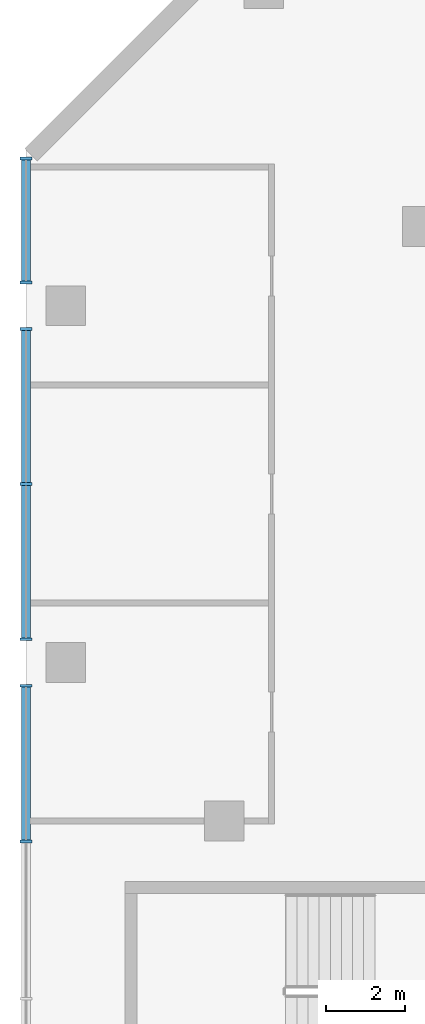
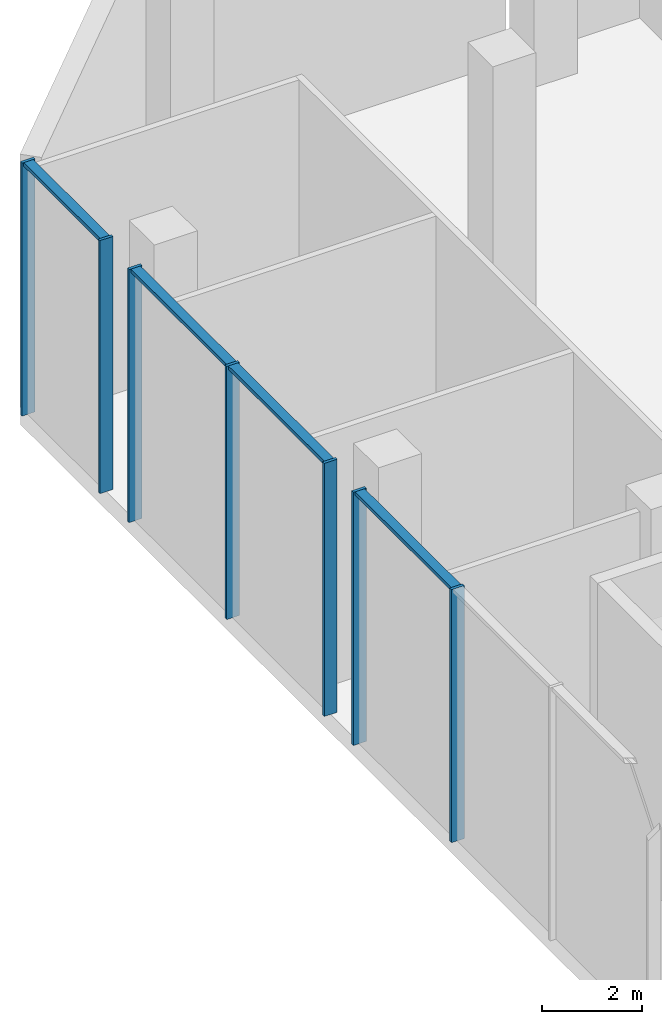
# One storey, part 6 of 30: 11 members, 3 elements without a shape of their own.
"""IFC4 building model written with IfcOpenShell, lengths in metres."""

import ifcopenshell
import ifcopenshell.guid

model = None  # the IFC model being written
_history = None  # IfcOwnerHistory: only IFC2X3 demands one
_inside = {}  # id of a spatial element -> (the spatial element, [elements in it])
_under = {}  # id of a project, library or spatial element -> (it, [spatial elements below it])
_declared = {}  # id of a project -> (the project, [libraries it declares])
_typed = {}  # id of a type object -> (the type object, [elements of that type])
_made_of = {}  # id of a material, layer set ... -> (it, [elements and type objects made of it])


def new_model(schema):
    """Start an empty IFC model of exactly this schema.

    Asked for "IFC4X3", IfcOpenShell would pick the latest addendum, in which some entities
    have other attributes; the version numbers below select the first issue.
    IFC2X3 requires an IfcOwnerHistory on every rooted entity: one is made here for all.
    """
    global model, _history
    if schema == "IFC4X3":
        model = ifcopenshell.file(schema_version=(4, 3, 0, 0))
    else:
        model = ifcopenshell.file(schema=schema)
    _inside.clear()
    _under.clear()
    _declared.clear()
    _typed.clear()
    _made_of.clear()
    _history = None
    if model.schema == "IFC2X3":
        org = make("IfcOrganization", Name="unknown")
        user = make(
            "IfcPersonAndOrganization",
            ThePerson=make("IfcPerson", FamilyName="unknown"),
            TheOrganization=org,
        )
        app = make(
            "IfcApplication",
            ApplicationDeveloper=org,
            Version="unknown",
            ApplicationFullName="unknown",
            ApplicationIdentifier="unknown",
        )
        _history = make(
            "IfcOwnerHistory",
            OwningUser=user,
            OwningApplication=app,
            ChangeAction="ADDED",
            CreationDate=0,
        )
    return model


def make(cls, **values):
    """One entity of the class cls with the attributes given. An attribute that is None is left unset."""
    return model.create_entity(
        cls, **{name: value for name, value in values.items() if value is not None}
    )


def rooted(cls, **values):
    """An entity with a GlobalId (a new one), such as an element, a storey or a relation."""
    return make(cls, GlobalId=ifcopenshell.guid.new(), OwnerHistory=_history, **values)


def si_unit(unit_type, name, prefix=None):
    """IfcSIUnit, for example si_unit("LENGTHUNIT", "METRE", prefix="MILLI")."""
    return make("IfcSIUnit", UnitType=unit_type, Prefix=prefix, Name=name)


def assignment(units):
    """IfcUnitAssignment: the units of a project."""
    return None if units is None else make("IfcUnitAssignment", Units=units)


def point(xyz):
    """IfcCartesianPoint."""
    return None if xyz is None else make("IfcCartesianPoint", Coordinates=xyz)


def direction(xyz):
    """IfcDirection."""
    return None if xyz is None else make("IfcDirection", DirectionRatios=xyz)


def frame(location, z_axis=None, x_axis=None):
    """IfcAxis2Placement3D, a coordinate frame: its origin and axes. An axis left out is left unset."""
    return make(
        "IfcAxis2Placement3D",
        Location=point(location),
        Axis=direction(z_axis),
        RefDirection=direction(x_axis),
    )


def frame_2d(location, x_axis=None):
    """IfcAxis2Placement2D, a coordinate frame in the plane: its origin and x axis."""
    return make(
        "IfcAxis2Placement2D", Location=point(location), RefDirection=direction(x_axis)
    )


def origin():
    """The frame at (0, 0, 0) with its axes left unset."""
    return frame((0.0, 0.0, 0.0))


def origin_2d():
    """The frame at (0, 0) in the plane with its x axis left unset."""
    return frame_2d((0.0, 0.0))


def place(relative_to, where):
    """IfcLocalPlacement: puts the frame where relative to a parent placement (None: the world)."""
    return make(
        "IfcLocalPlacement", PlacementRelTo=relative_to, RelativePlacement=where
    )


def context(
    kind, dimensions, precision=None, world=None, true_north=None, identifier=None
):
    """IfcGeometricRepresentationContext, for example the 3D "Model" context."""
    return make(
        "IfcGeometricRepresentationContext",
        ContextIdentifier=identifier,
        ContextType=kind,
        CoordinateSpaceDimension=dimensions,
        Precision=precision,
        WorldCoordinateSystem=world,
        TrueNorth=true_north,
    )


def subcontext(parent, identifier, kind, view, scale=None):
    """IfcGeometricRepresentationSubContext, for example "Body" below "Model"."""
    return make(
        "IfcGeometricRepresentationSubContext",
        ContextIdentifier=identifier,
        ContextType=kind,
        ParentContext=parent,
        TargetScale=scale,
        TargetView=view,
    )


def project(units=None, contexts=None):
    """IfcProject with its units and contexts."""
    return rooted(
        "IfcProject",
        Name="project",
        RepresentationContexts=contexts,
        UnitsInContext=assignment(units),
    )


def spatial(cls, under=None, at=None, **own):
    """A site, building, storey or space (cls), placed at a placement, below another one or the project."""
    s = rooted(cls, ObjectPlacement=at, **own)
    if under is not None:
        _under.setdefault(under.id(), (under, []))[1].append(s)
    return s


def profile(cls, at=None, kind="AREA", **sizes):
    """A parametric profile (cls). Its sizes go by their IFC names, for example OverallWidth=200.0."""
    return make(cls, ProfileType=kind, Position=at, **sizes)


def rectangle(**sizes):
    """IfcRectangleProfileDef."""
    return profile("IfcRectangleProfileDef", **sizes)


def extrude(swept, where, along, depth):
    """IfcExtrudedAreaSolid: the profile swept, set in the frame where, extruded along a direction by depth."""
    return make(
        "IfcExtrudedAreaSolid",
        SweptArea=swept,
        Position=where,
        ExtrudedDirection=direction(along),
        Depth=depth,
    )


def shape(context_of_items, identifier, shape_type, items):
    """IfcShapeRepresentation: the items that make up one representation, for example the "Body"."""
    return make(
        "IfcShapeRepresentation",
        ContextOfItems=context_of_items,
        RepresentationIdentifier=identifier,
        RepresentationType=shape_type,
        Items=items,
    )


def material(Name=None, Category=None):
    """IfcMaterial."""
    return make("IfcMaterial", Name=Name, Category=Category)


def material_profile(
    of_material, cross_section, Name=None, Category=None, Priority=None
):
    """IfcMaterialProfile: a cross section and its material."""
    return make(
        "IfcMaterialProfile",
        Name=Name,
        Material=of_material,
        Profile=cross_section,
        Priority=Priority,
        Category=Category,
    )


def profile_set(profiles, Name=None, composite=None):
    """IfcMaterialProfileSet."""
    return make(
        "IfcMaterialProfileSet",
        Name=Name,
        MaterialProfiles=profiles,
        CompositeProfile=composite,
    )


def made_of(thing, what):
    """Note that an element or type object is made of a material, layer set ...; save() writes the relation."""
    if what is not None:
        _made_of.setdefault(what.id(), (what, []))[1].append(thing)
    return thing


def type_object(cls, material=None, **own):
    """A type object (cls), such as IfcWallType, which elements share."""
    return made_of(rooted(cls, **own), material)


def element(
    cls,
    number,
    at=None,
    inside=None,
    cuts=None,
    type_object=None,
    material=None,
    context=None,
    identifier="Body",
    shape_type=None,
    held_by="IfcProductDefinitionShape",
    body=None,
    shapes=None,
    **own,
):
    """One element of the class cls, such as IfcWall. Its Tag is "e" and its number.

    at: its placement. inside: the storey or other place that contains it. cuts: it is an
    opening in that element (IfcRelVoidsElement). A single representation is given by context,
    identifier, shape_type and body (its items); several are given by shapes. held_by: the class
    of the entity that holds the representations. save() writes the other relations.
    """
    e = rooted(cls, Tag="e%d" % number, ObjectPlacement=at, **own)
    if body is not None:
        shapes = [shape(context, identifier, shape_type, body)]
    if shapes is not None:
        e.Representation = make(held_by, Representations=shapes)
    if inside is not None:
        _inside.setdefault(inside.id(), (inside, []))[1].append(e)
    if cuts is not None:
        rooted(
            "IfcRelVoidsElement", RelatingBuildingElement=cuts, RelatedOpeningElement=e
        )
    if type_object is not None:
        _typed.setdefault(type_object.id(), (type_object, []))[1].append(e)
    return made_of(e, material)


def aggregate(whole, parts):
    """IfcRelAggregates: a whole, such as a stair, and the parts it consists of."""
    return rooted("IfcRelAggregates", RelatingObject=whole, RelatedObjects=parts)


def save(model, path):
    """Write the relations noted so far, then the file.

    IfcRelAggregates (storeys below a building ...), IfcRelContainedInSpatialStructure (elements
    in a storey), IfcRelDefinesByType, IfcRelAssociatesMaterial and IfcRelDeclares: one each for
    every whole, place, type object, material and project.
    """
    for whole, parts in _under.values():
        aggregate(whole, parts)
    for where, things in _inside.values():
        rooted(
            "IfcRelContainedInSpatialStructure",
            RelatedElements=things,
            RelatingStructure=where,
        )
    for kind, things in _typed.values():
        rooted("IfcRelDefinesByType", RelatedObjects=things, RelatingType=kind)
    for what, things in _made_of.values():
        rooted("IfcRelAssociatesMaterial", RelatedObjects=things, RelatingMaterial=what)
    for by, libraries in _declared.values():
        rooted("IfcRelDeclares", RelatingContext=by, RelatedDefinitions=libraries)
    model.write(path)


model = new_model("IFC4")

# Units and contexts
model_context = context("Model", 3, precision=1e-05, world=origin(), true_north=direction((0.0, 1.0)))
body_context = subcontext(model_context, "Body", "Model", "MODEL_VIEW")
ifc_project = project(units=[si_unit("LENGTHUNIT", "METRE"), si_unit("AREAUNIT", "SQUARE_METRE"), si_unit("VOLUMEUNIT", "CUBIC_METRE"), si_unit("PLANEANGLEUNIT", "RADIAN"), si_unit("MASSUNIT", "GRAM", prefix="KILO")], contexts=[model_context])

# Site, building, storey
site_placement = place(None, origin())
site = spatial("IfcSite", under=ifc_project, at=site_placement, CompositionType="ELEMENT")
building_placement = place(site_placement, origin())
building = spatial("IfcBuilding", under=site, at=building_placement, Name="Wharfspan Tower", CompositionType="ELEMENT")
storey_placement = place(building_placement, frame((0.0, 0.0, 15.0)))
storey = spatial("IfcBuildingStorey", under=building, at=storey_placement, Name="L02", CompositionType="ELEMENT", Elevation=15.0)

# Curtain wall, members
ifc_material = material(Name="Aluminium 6063-T6", Category="aluminium")
curtain_wall_type = type_object("IfcCurtainWallType", Name="CURTAIN WALL ARENA STICK WALL", PredefinedType="NOTDEFINED", material=ifc_material)
curtain_wall_1_placement = place(storey_placement, origin())
curtain_wall_1 = element("IfcCurtainWall", 1, at=curtain_wall_1_placement, inside=storey, type_object=curtain_wall_type, Name="Concourse stick wall PF12.1", PredefinedType="NOTDEFINED")
ifc_material_profile_1 = material_profile(ifc_material, rectangle(XDim=0.300049, YDim=0.070068, at=origin_2d()))
ifc_profile_set_1 = profile_set([ifc_material_profile_1], Name="Aluminium 6063-T6")
member_type_1 = type_object("IfcMemberType", Name="MULLION ARENA STICK WALL 70x300", PredefinedType="MULLION", material=ifc_profile_set_1)
member_1_placement = place(storey_placement, frame((-12.0, 49.715088, 0.0), z_axis=(0.0, 0.0, 1.0), x_axis=(1.0, 0.0, 0.0)))
member_1 = element("IfcMember", 2, at=member_1_placement, type_object=member_type_1, Name="Concourse stick wall PF12.1 mullion 1", PredefinedType="MULLION", context=body_context, shape_type="SweptSolid", body=[
    extrude(rectangle(XDim=0.300049, YDim=0.070068, at=origin_2d()), origin(), (0.0, 0.0, 1.0), 6.199951),
])
member_2_placement = place(storey_placement, frame((-12.0, 46.584961, 0.0), z_axis=(0.0, 0.0, 1.0), x_axis=(1.0, 0.0, 0.0)))
member_2 = element("IfcMember", 3, at=member_2_placement, type_object=member_type_1, Name="Concourse stick wall PF12.1 mullion 2", PredefinedType="MULLION", context=body_context, shape_type="SweptSolid", body=[
    extrude(rectangle(XDim=0.300049, YDim=0.070068, at=origin_2d()), origin(), (0.0, 0.0, 1.0), 6.199951),
])

curtain_wall_2_placement = place(storey_placement, origin())
curtain_wall_2 = element("IfcCurtainWall", 4, at=curtain_wall_2_placement, inside=storey, type_object=curtain_wall_type, Name="Concourse stick wall PF12.2", PredefinedType="NOTDEFINED")
member_3_placement = place(storey_placement, frame((-12.0, 45.415039, 0.0), z_axis=(0.0, 0.0, 1.0), x_axis=(1.0, 0.0, 0.0)))
member_3 = element("IfcMember", 5, at=member_3_placement, type_object=member_type_1, Name="Concourse stick wall PF12.2 mullion 1", PredefinedType="MULLION", context=body_context, shape_type="SweptSolid", body=[
    extrude(rectangle(XDim=0.300049, YDim=0.070068, at=origin_2d()), origin(), (0.0, 0.0, 1.0), 6.199951),
])
member_4_placement = place(storey_placement, frame((-12.0, 41.5, 0.0), z_axis=(0.0, 0.0, 1.0), x_axis=(1.0, 0.0, 0.0)))
member_4 = element("IfcMember", 6, at=member_4_placement, type_object=member_type_1, Name="Concourse stick wall PF12.2 mullion 2", PredefinedType="MULLION", context=body_context, shape_type="SweptSolid", body=[
    extrude(rectangle(XDim=0.300049, YDim=0.070068, at=origin_2d()), origin(), (0.0, 0.0, 1.0), 6.199951),
])
member_5_placement = place(storey_placement, frame((-12.0, 37.584961, 0.0), z_axis=(0.0, 0.0, 1.0), x_axis=(1.0, 0.0, 0.0)))
member_5 = element("IfcMember", 7, at=member_5_placement, type_object=member_type_1, Name="Concourse stick wall PF12.2 mullion 3", PredefinedType="MULLION", context=body_context, shape_type="SweptSolid", body=[
    extrude(rectangle(XDim=0.300049, YDim=0.070068, at=origin_2d()), origin(), (0.0, 0.0, 1.0), 6.199951),
])

curtain_wall_3_placement = place(storey_placement, origin())
curtain_wall_3 = element("IfcCurtainWall", 8, at=curtain_wall_3_placement, inside=storey, type_object=curtain_wall_type, Name="Concourse stick wall PF12.3", PredefinedType="NOTDEFINED")
member_6_placement = place(storey_placement, frame((-12.0, 36.415039, 0.0), z_axis=(0.0, 0.0, 1.0), x_axis=(1.0, 0.0, 0.0)))
member_6 = element("IfcMember", 9, at=member_6_placement, type_object=member_type_1, Name="Concourse stick wall PF12.3 mullion 1", PredefinedType="MULLION", context=body_context, shape_type="SweptSolid", body=[
    extrude(rectangle(XDim=0.300049, YDim=0.070068, at=origin_2d()), origin(), (0.0, 0.0, 1.0), 6.199951),
])
member_7_placement = place(storey_placement, frame((-12.0, 32.483398, 0.0), z_axis=(0.0, 0.0, 1.0), x_axis=(1.0, 0.0, 0.0)))
member_7 = element("IfcMember", 10, at=member_7_placement, type_object=member_type_1, Name="Concourse stick wall PF12.3 mullion 2", PredefinedType="MULLION", context=body_context, shape_type="SweptSolid", body=[
    extrude(rectangle(XDim=0.300049, YDim=0.070068, at=origin_2d()), origin(), (0.0, 0.0, 1.0), 6.199951),
])

# Member
ifc_material_profile_2 = material_profile(ifc_material, rectangle(XDim=0.219971, YDim=0.090088, at=origin_2d()))
ifc_profile_set_2 = profile_set([ifc_material_profile_2], Name="Aluminium 6063-T6")
member_type_2 = type_object("IfcMemberType", Name="TRANSOM ARENA STICK WALL 90x220", PredefinedType="USERDEFINED", material=ifc_profile_set_2)
member_8_placement = place(storey_placement, frame((-12.0, 49.679932, 6.155029), z_axis=(0.0, -1.0, 0.0), x_axis=(1.0, 0.0, 0.0)))
member_8 = element("IfcMember", 11, at=member_8_placement, type_object=member_type_2, Name="Concourse stick wall PF12.1 transom 1", ObjectType="TRANSOM", PredefinedType="USERDEFINED", context=body_context, shape_type="SweptSolid", body=[
    extrude(rectangle(XDim=0.219971, YDim=0.090088, at=origin_2d()), origin(), (0.0, 0.0, 1.0), 3.059814),
])

aggregate(curtain_wall_1, [member_1, member_2, member_8])

member_9_placement = place(storey_placement, frame((-12.0, 45.379883, 6.155029), z_axis=(0.0, -1.0, 0.0), x_axis=(1.0, 0.0, 0.0)))
member_9 = element("IfcMember", 12, at=member_9_placement, type_object=member_type_2, Name="Concourse stick wall PF12.2 transom 1", ObjectType="TRANSOM", PredefinedType="USERDEFINED", context=body_context, shape_type="SweptSolid", body=[
    extrude(rectangle(XDim=0.219971, YDim=0.090088, at=origin_2d()), origin(), (0.0, 0.0, 1.0), 3.844971),
])

member_10_placement = place(storey_placement, frame((-12.0, 41.465088, 6.155029), z_axis=(0.0, -1.0, 0.0), x_axis=(1.0, 0.0, 0.0)))
member_10 = element("IfcMember", 13, at=member_10_placement, type_object=member_type_2, Name="Concourse stick wall PF12.2 transom 2", ObjectType="TRANSOM", PredefinedType="USERDEFINED", context=body_context, shape_type="SweptSolid", body=[
    extrude(rectangle(XDim=0.219971, YDim=0.090088, at=origin_2d()), origin(), (0.0, 0.0, 1.0), 3.844971),
])

aggregate(curtain_wall_2, [member_3, member_4, member_5, member_9, member_10])

member_11_placement = place(storey_placement, frame((-12.0, 36.379883, 6.155029), z_axis=(0.0, -1.0, 0.0), x_axis=(1.0, 0.0, 0.0)))
member_11 = element("IfcMember", 14, at=member_11_placement, type_object=member_type_2, Name="Concourse stick wall PF12.3 transom 1", ObjectType="TRANSOM", PredefinedType="USERDEFINED", context=body_context, shape_type="SweptSolid", body=[
    extrude(rectangle(XDim=0.219971, YDim=0.090088, at=origin_2d()), origin(), (0.0, 0.0, 1.0), 3.861572),
])

aggregate(curtain_wall_3, [member_6, member_7, member_11])

save(model, "model.ifc")
